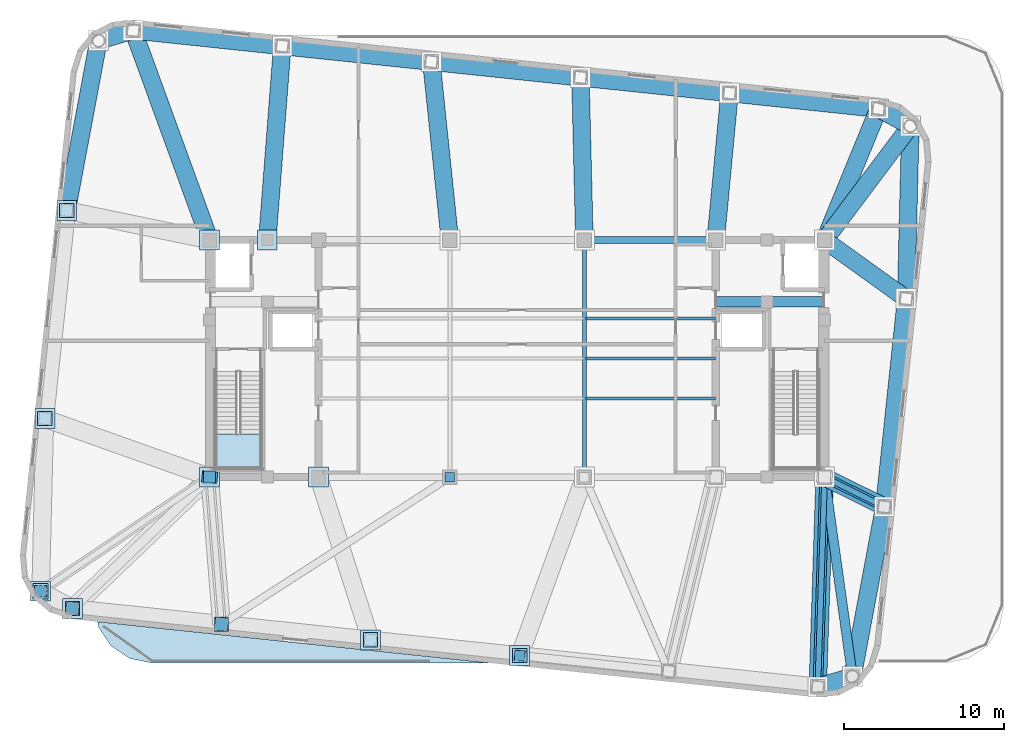
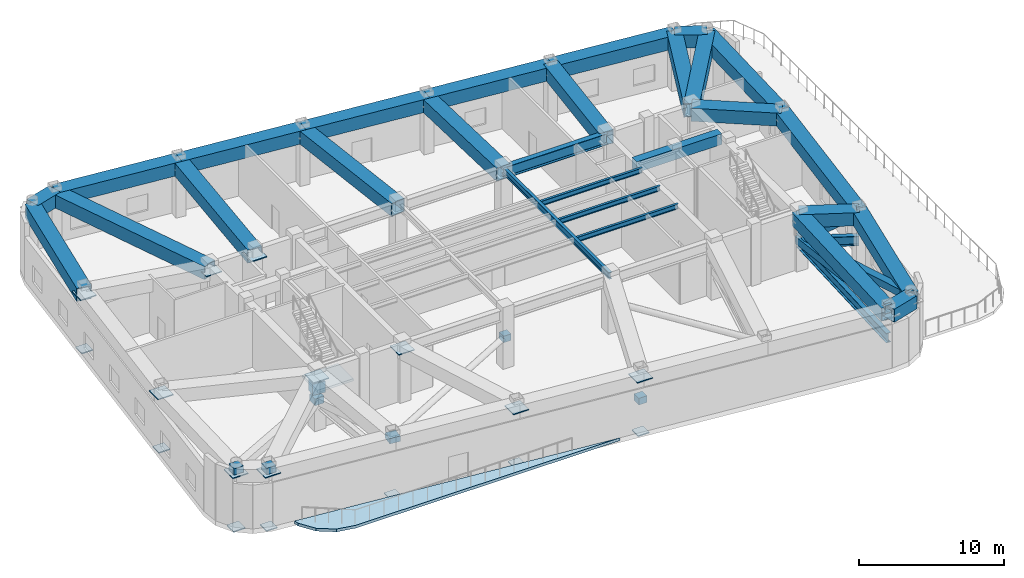
# One storey, part 2 of 9: 30 beams, 24 plates, 3 members, 2 slabs, 1 element without a shape of its own.
"""IFC4 building model written with IfcOpenShell, lengths in metres."""

from ifc_helpers import new_model, si_unit, direction, frame, origin, origin_2d, place, context, subcontext, project, spatial, polyline, rectangle, hollow_rectangle, i_section, outline, extrude, material, layer, layer_set, material_profile, profile_set, type_object, element, aggregate, save


model = new_model("IFC4")

# Units and contexts
model_context = context("Model", 3, precision=1e-05, world=origin(), true_north=direction((0.0, 1.0)))
body_context = subcontext(model_context, "Body", "Model", "MODEL_VIEW")
ifc_project = project(units=[si_unit("LENGTHUNIT", "METRE"), si_unit("AREAUNIT", "SQUARE_METRE"), si_unit("VOLUMEUNIT", "CUBIC_METRE"), si_unit("PLANEANGLEUNIT", "RADIAN"), si_unit("MASSUNIT", "GRAM", prefix="KILO")], contexts=[model_context])

# Site, building, storey
site_placement = place(None, origin())
site = spatial("IfcSite", under=ifc_project, at=site_placement, CompositionType="ELEMENT")
building_placement = place(site_placement, origin())
building = spatial("IfcBuilding", under=site, at=building_placement, Name="Voryun Gate Residences", CompositionType="ELEMENT")
storey_placement = place(building_placement, frame((0.0, 0.0, 254.800048828125)))
storey = spatial("IfcBuildingStorey", under=building, at=storey_placement, Name="L63", CompositionType="ELEMENT", Elevation=254.800048828125)

# Beams
ifc_material_1 = material(Name="Steel SM420", Category="steel")
ifc_material_profile_1 = material_profile(ifc_material_1, hollow_rectangle(XDim=1.10009765625, YDim=1.10009765625, WallThickness=0.035888671875, at=origin_2d()), Name="BOX-1100x1100x36")
ifc_profile_set_1 = profile_set([ifc_material_profile_1], Name="Steel SM420")
beam_type_1 = type_object("IfcBeamType", Name="BM_ARCH_RIB", PredefinedType="USERDEFINED", material=ifc_profile_set_1)
beam_1_placement = place(storey_placement, frame((18.774658203125, -20.49658203125, 4.25), z_axis=(0.958805748412, 0.28406255792, 0.0), x_axis=(-0.28406255792, 0.958805748412, 0.0)))
element("IfcBeam", 1, at=beam_1_placement, inside=storey, type_object=beam_type_1, Name="BM-L63-SPAND-06", ObjectType="GIRDER", PredefinedType="USERDEFINED", context=body_context, shape_type="SweptSolid", body=[
    extrude(hollow_rectangle(XDim=1.10009765625, YDim=1.10009765625, WallThickness=0.035888671875, at=origin_2d()), origin(), (0.0, 0.0, 1.0), 2.2578125),
])
beam_2_placement = place(storey_placement, frame((20.939453125, -19.855224609375, 4.25), z_axis=(0.183852585596, 0.982953827384, 0.0), x_axis=(-0.982953827384, 0.183852585596, 0.0)))
element("IfcBeam", 2, at=beam_2_placement, inside=storey, type_object=beam_type_1, Name="BM-L63-SPAND-07", ObjectType="GIRDER", PredefinedType="USERDEFINED", context=body_context, shape_type="SweptSolid", body=[
    extrude(hollow_rectangle(XDim=1.10009765625, YDim=1.10009765625, WallThickness=0.035888671875, at=origin_2d()), origin(), (0.0, 0.0, 1.0), 10.78662109375),
])
beam_3_placement = place(storey_placement, frame((22.922607421875, -9.25244140625, 4.25), z_axis=(0.104528209082, 0.994521922084, 0.0), x_axis=(-0.994521922084, 0.104528209082, 0.0)))
element("IfcBeam", 3, at=beam_3_placement, inside=storey, type_object=beam_type_1, Name="BM-L63-SPAND-08", ObjectType="GIRDER", PredefinedType="USERDEFINED", context=body_context, shape_type="SweptSolid", body=[
    extrude(hollow_rectangle(XDim=1.10009765625, YDim=1.10009765625, WallThickness=0.035888671875, at=origin_2d()), origin(), (0.0, 0.0, 1.0), 13.06787109375),
])
beam_4_placement = place(storey_placement, frame((24.28857421875, 3.743896484375, 4.25), z_axis=(0.024534711967, 0.999698978647, 0.0), x_axis=(-0.999698978647, 0.024534711967, 0.0)))
element("IfcBeam", 4, at=beam_4_placement, inside=storey, type_object=beam_type_1, Name="BM-L63-SPAND-09", ObjectType="GIRDER", PredefinedType="USERDEFINED", context=body_context, shape_type="SweptSolid", body=[
    extrude(hollow_rectangle(XDim=1.10009765625, YDim=1.10009765625, WallThickness=0.035888671875, at=origin_2d()), origin(), (0.0, 0.0, 1.0), 10.78662109375),
])
beam_5_placement = place(storey_placement, frame((24.55322265625, 14.52734375, 4.25), z_axis=(-0.878844363117, 0.477108567746, 0.0), x_axis=(-0.477108567746, -0.878844363117, 0.0)))
element("IfcBeam", 5, at=beam_5_placement, inside=storey, type_object=beam_type_1, Name="BM-L63-SPAND-10", ObjectType="GIRDER", PredefinedType="USERDEFINED", context=body_context, shape_type="SweptSolid", body=[
    extrude(hollow_rectangle(XDim=1.10009765625, YDim=1.10009765625, WallThickness=0.035888671875, at=origin_2d()), origin(), (0.0, 0.0, 1.0), 2.257568359375),
])
beam_6_placement = place(storey_placement, frame((22.569091796875, 15.6044921875, 4.25), z_axis=(-0.994520592114, 0.104540862157, 0.0), x_axis=(-0.104540862157, -0.994520592114, 0.0)))
element("IfcBeam", 6, at=beam_6_placement, inside=storey, type_object=beam_type_1, Name="BM-L63-SPAND-11", ObjectType="GIRDER", PredefinedType="USERDEFINED", context=body_context, shape_type="SweptSolid", body=[
    extrude(hollow_rectangle(XDim=1.10009765625, YDim=1.10009765625, WallThickness=0.035888671875, at=origin_2d()), origin(), (0.0, 0.0, 1.0), 9.360107421875),
])
beam_7_placement = place(storey_placement, frame((13.26025390625, 16.5830078125, 4.25), z_axis=(-0.994523018663, 0.104517775278, 0.0), x_axis=(-0.104517775278, -0.994523018663, 0.0)))
element("IfcBeam", 7, at=beam_7_placement, inside=storey, type_object=beam_type_1, Name="BM-L63-SPAND-12", ObjectType="GIRDER", PredefinedType="USERDEFINED", context=body_context, shape_type="SweptSolid", body=[
    extrude(hollow_rectangle(XDim=1.10009765625, YDim=1.10009765625, WallThickness=0.035888671875, at=origin_2d()), origin(), (0.0, 0.0, 1.0), 9.35986328125),
])
for number, where, z_axis, x_axis, name in (
    (8, (3.95166015625, 17.561279296875, 4.25), (-0.994520592114, 0.104540862157, 0.0), (-0.104540862157, -0.994520592114, 0.0), "BM-L63-SPAND-13"),
    (9, (-5.357177734375, 18.539794921875, 4.25), (-0.994523303591, 0.104515064059, 0.0), (-0.104515064059, -0.994523303591, 0.0), "BM-L63-SPAND-14"),
):
    element("IfcBeam", number, at=place(storey_placement, frame(where, z_axis=z_axis, x_axis=x_axis)), inside=storey, type_object=beam_type_1, Name=name, ObjectType="GIRDER", PredefinedType="USERDEFINED", context=body_context, shape_type="SweptSolid", body=[
        extrude(hollow_rectangle(XDim=1.10009765625, YDim=1.10009765625, WallThickness=0.035888671875, at=origin_2d()), origin(), (0.0, 0.0, 1.0), 9.360107421875),
    ])
beam_8_placement = place(storey_placement, frame((-14.666015625, 19.51806640625, 4.25), z_axis=(-0.994520307047, 0.104543574031, 0.0), x_axis=(-0.104543574031, -0.994520307047, 0.0)))
element("IfcBeam", 10, at=beam_8_placement, inside=storey, type_object=beam_type_1, Name="BM-L63-SPAND-15", ObjectType="GIRDER", PredefinedType="USERDEFINED", context=body_context, shape_type="SweptSolid", body=[
    extrude(hollow_rectangle(XDim=1.10009765625, YDim=1.10009765625, WallThickness=0.035888671875, at=origin_2d()), origin(), (0.0, 0.0, 1.0), 9.35986328125),
])
beam_9_placement = place(storey_placement, frame((-23.974609375, 20.49658203125, 4.25), z_axis=(-0.958805748412, -0.28406255792, 0.0), x_axis=(0.28406255792, -0.958805748412, 0.0)))
element("IfcBeam", 11, at=beam_9_placement, inside=storey, type_object=beam_type_1, Name="BM-L63-SPAND-16", ObjectType="GIRDER", PredefinedType="USERDEFINED", context=body_context, shape_type="SweptSolid", body=[
    extrude(hollow_rectangle(XDim=1.10009765625, YDim=1.10009765625, WallThickness=0.035888671875, at=origin_2d()), origin(), (0.0, 0.0, 1.0), 2.2578125),
])
beam_10_placement = place(storey_placement, frame((-26.139404296875, 19.855224609375, 4.25), z_axis=(-0.183852585596, -0.982953827384, 0.0), x_axis=(0.982953827384, -0.183852585596, 0.0)))
element("IfcBeam", 12, at=beam_10_placement, inside=storey, type_object=beam_type_1, Name="BM-L63-SPAND-17", ObjectType="GIRDER", PredefinedType="USERDEFINED", context=body_context, shape_type="SweptSolid", body=[
    extrude(hollow_rectangle(XDim=1.10009765625, YDim=1.10009765625, WallThickness=0.035888671875, at=origin_2d()), origin(), (0.0, 0.0, 1.0), 10.78662109375),
])
beam_11_placement = place(storey_placement, frame((19.199951171875, -7.39990234375, 4.25), z_axis=(-0.032456234446, -0.999473157641, 0.0), x_axis=(0.999473157641, -0.032456234446, 0.0)))
element("IfcBeam", 13, at=beam_11_placement, inside=storey, type_object=beam_type_1, Name="BM-L63-RAD-S6", ObjectType="GIRDER", PredefinedType="USERDEFINED", context=body_context, shape_type="SweptSolid", body=[
    extrude(hollow_rectangle(XDim=1.10009765625, YDim=1.10009765625, WallThickness=0.035888671875, at=origin_2d()), origin(), (0.0, 0.0, 1.0), 13.103515625),
])
beam_12_placement = place(storey_placement, frame((19.199951171875, -7.39990234375, 4.25), z_axis=(0.895271074172, -0.445521833081, 0.0), x_axis=(0.445521833081, 0.895271074172, 0.0)))
element("IfcBeam", 14, at=beam_12_placement, inside=storey, type_object=beam_type_1, Name="BM-L63-RAD-E1", ObjectType="GIRDER", PredefinedType="USERDEFINED", context=body_context, shape_type="SweptSolid", body=[
    extrude(hollow_rectangle(XDim=1.10009765625, YDim=1.10009765625, WallThickness=0.035888671875, at=origin_2d()), origin(), (0.0, 0.0, 1.0), 4.158203125),
])
beam_13_placement = place(storey_placement, frame((19.199951171875, 7.39990234375, 4.25), z_axis=(0.81212442094, -0.583484297058, 0.0), x_axis=(0.583484297058, 0.81212442094, 0.0)))
element("IfcBeam", 15, at=beam_13_placement, inside=storey, type_object=beam_type_1, Name="BM-L63-RAD-E2", ObjectType="GIRDER", PredefinedType="USERDEFINED", context=body_context, shape_type="SweptSolid", body=[
    extrude(hollow_rectangle(XDim=1.10009765625, YDim=1.10009765625, WallThickness=0.035888671875, at=origin_2d()), origin(), (0.0, 0.0, 1.0), 6.265869140625),
])
beam_14_placement = place(storey_placement, frame((19.199951171875, 7.39990234375, 4.25), z_axis=(0.60055201327, 0.799585692316, 0.0), x_axis=(-0.799585692316, 0.60055201327, 0.0)))
element("IfcBeam", 16, at=beam_14_placement, inside=storey, type_object=beam_type_1, Name="BM-L63-RAD-CNE", ObjectType="GIRDER", PredefinedType="USERDEFINED", context=body_context, shape_type="SweptSolid", body=[
    extrude(hollow_rectangle(XDim=1.10009765625, YDim=1.10009765625, WallThickness=0.035888671875, at=origin_2d()), origin(), (0.0, 0.0, 1.0), 8.913818359375),
])
beam_15_placement = place(storey_placement, frame((19.199951171875, 7.39990234375, 4.25), z_axis=(0.379860811741, 0.925043655026, 0.0), x_axis=(-0.925043655026, 0.379860811741, 0.0)))
element("IfcBeam", 17, at=beam_15_placement, inside=storey, type_object=beam_type_1, Name="BM-L63-RAD-N1", ObjectType="GIRDER", PredefinedType="USERDEFINED", context=body_context, shape_type="SweptSolid", body=[
    extrude(hollow_rectangle(XDim=1.10009765625, YDim=1.10009765625, WallThickness=0.035888671875, at=origin_2d()), origin(), (0.0, 0.0, 1.0), 8.869384765625),
])
beam_16_placement = place(storey_placement, frame((12.39990234375, 7.39990234375, 4.25), z_axis=(0.093280030115, 0.995639912811, 0.0), x_axis=(-0.995639912811, 0.093280030115, 0.0)))
element("IfcBeam", 18, at=beam_16_placement, inside=storey, type_object=beam_type_1, Name="BM-L63-RAD-N2", ObjectType="GIRDER", PredefinedType="USERDEFINED", context=body_context, shape_type="SweptSolid", body=[
    extrude(hollow_rectangle(XDim=1.10009765625, YDim=1.10009765625, WallThickness=0.035888671875, at=origin_2d()), origin(), (0.0, 0.0, 1.0), 9.223388671875),
])
beam_17_placement = place(storey_placement, frame((4.199951171875, 7.39990234375, 4.25), z_axis=(-0.024427489288, 0.999701604364, 0.0), x_axis=(-0.999701604364, -0.024427489288, 0.0)))
element("IfcBeam", 19, at=beam_17_placement, inside=storey, type_object=beam_type_1, Name="BM-L63-RAD-N3", ObjectType="GIRDER", PredefinedType="USERDEFINED", context=body_context, shape_type="SweptSolid", body=[
    extrude(hollow_rectangle(XDim=1.10009765625, YDim=1.10009765625, WallThickness=0.035888671875, at=origin_2d()), origin(), (0.0, 0.0, 1.0), 10.164306640625),
])
beam_18_placement = place(storey_placement, frame((-4.199951171875, 7.39990234375, 4.25), z_axis=(-0.103325291149, 0.994647618109, 0.0), x_axis=(-0.994647618109, -0.103325291149, 0.0)))
element("IfcBeam", 20, at=beam_18_placement, inside=storey, type_object=beam_type_1, Name="BM-L63-RAD-N4", ObjectType="GIRDER", PredefinedType="USERDEFINED", context=body_context, shape_type="SweptSolid", body=[
    extrude(hollow_rectangle(XDim=1.10009765625, YDim=1.10009765625, WallThickness=0.035888671875, at=origin_2d()), origin(), (0.0, 0.0, 1.0), 11.199951171875),
])
beam_19_placement = place(storey_placement, frame((-15.60009765625, 7.39990234375, 4.25), z_axis=(0.07685317718, 0.997042420942, 0.0), x_axis=(-0.997042420942, 0.07685317718, 0.0)))
element("IfcBeam", 21, at=beam_19_placement, inside=storey, type_object=beam_type_1, Name="BM-L63-RAD-N5", ObjectType="GIRDER", PredefinedType="USERDEFINED", context=body_context, shape_type="SweptSolid", body=[
    extrude(hollow_rectangle(XDim=1.10009765625, YDim=1.10009765625, WallThickness=0.035888671875, at=origin_2d()), origin(), (0.0, 0.0, 1.0), 12.154052734375),
])
beam_20_placement = place(storey_placement, frame((-19.199951171875, 7.39990234375, 4.25), z_axis=(-0.342517773666, 0.939511348906, 0.0), x_axis=(-0.939511348906, -0.342517773666, 0.0)))
element("IfcBeam", 22, at=beam_20_placement, inside=storey, type_object=beam_type_1, Name="BM-L63-RAD-N6", ObjectType="GIRDER", PredefinedType="USERDEFINED", context=body_context, shape_type="SweptSolid", body=[
    extrude(hollow_rectangle(XDim=1.10009765625, YDim=1.10009765625, WallThickness=0.035888671875, at=origin_2d()), origin(), (0.0, 0.0, 1.0), 13.93994140625),
])
ifc_material_2 = material(Name="Concrete C60/75", Category="concrete")
ifc_material_profile_2 = material_profile(ifc_material_2, rectangle(XDim=0.64990234375, YDim=0.89990234375, at=origin_2d()), Name="RC-650x900")
ifc_profile_set_2 = profile_set([ifc_material_profile_2], Name="Concrete C60/75")
beam_type_2 = type_object("IfcBeamType", Name="BM_COUP_RC900", PredefinedType="LINTEL", material=ifc_profile_set_2)
beam_21_placement = place(storey_placement, frame((12.39990234375, 3.550048828125, 4.349853515625), z_axis=(1.0, 0.0, 0.0), x_axis=(0.0, 1.0, 0.0)))
element("IfcBeam", 23, at=beam_21_placement, inside=storey, type_object=beam_type_2, Name="BM-L63-EC1", PredefinedType="LINTEL", context=body_context, shape_type="SweptSolid", body=[
    extrude(rectangle(XDim=0.64990234375, YDim=0.89990234375, at=origin_2d()), origin(), (0.0, 0.0, 1.0), 6.800048828125),
])
ifc_material_3 = material(Name="Steel SM355", Category="steel")
ifc_material_profile_3 = material_profile(ifc_material_3, i_section(OverallWidth=0.239990234375, OverallDepth=0.550048828125, WebThickness=0.011962890625, FlangeThickness=0.02001953125, FilletRadius=0.01806640625, at=origin_2d()), Name="H-550x240x12x20")
ifc_profile_set_3 = profile_set([ifc_material_profile_3], Name="Steel SM355")
beam_type_3 = type_object("IfcBeamType", Name="BM_GIRD_550", PredefinedType="USERDEFINED", material=ifc_profile_set_3)
beam_22_placement = place(storey_placement, frame((4.199951171875, -7.39990234375, 4.52490234375), z_axis=(0.0, 1.0, 0.0), x_axis=(-1.0, 0.0, 0.0)))
element("IfcBeam", 24, at=beam_22_placement, inside=storey, type_object=beam_type_3, Name="BM-L63-SPX-E", ObjectType="GIRDER", PredefinedType="USERDEFINED", context=body_context, shape_type="SweptSolid", body=[
    extrude(i_section(OverallWidth=0.239990234375, OverallDepth=0.550048828125, WebThickness=0.011962890625, FlangeThickness=0.02001953125, FilletRadius=0.01806640625, at=origin_2d()), origin(), (0.0, 0.0, 1.0), 14.7998046875),
])
ifc_material_4 = material(Name="Steel SM420", Category="steel")
ifc_material_profile_4 = material_profile(ifc_material_4, i_section(OverallWidth=0.360107421875, OverallDepth=0.800048828125, WebThickness=0.01611328125, FlangeThickness=0.030029296875, FilletRadius=0.01806640625, at=origin_2d()), Name="H-800x360x16x30")
ifc_profile_set_4 = profile_set([ifc_material_profile_4], Name="Steel SM420")
beam_type_4 = type_object("IfcBeamType", Name="BM_OUTRIGGER_CHD", PredefinedType="USERDEFINED", material=ifc_profile_set_4)
beam_23_placement = place(storey_placement, frame((19.199951171875, -7.39990234375, 2.14990234375), z_axis=(-0.032456234446, -0.999473157641, 0.0), x_axis=(0.999473157641, -0.032456234446, 0.0)))
element("IfcBeam", 25, at=beam_23_placement, inside=storey, type_object=beam_type_4, Name="BM-L63-OUTCHD-S6", ObjectType="GIRDER", PredefinedType="USERDEFINED", context=body_context, shape_type="SweptSolid", body=[
    extrude(i_section(OverallWidth=0.360107421875, OverallDepth=0.800048828125, WebThickness=0.01611328125, FlangeThickness=0.030029296875, FilletRadius=0.01806640625, at=origin_2d()), origin(), (0.0, 0.0, 1.0), 13.103515625),
])
beam_24_placement = place(storey_placement, frame((19.199951171875, -7.39990234375, 2.14990234375), z_axis=(0.895271074172, -0.445521833081, 0.0), x_axis=(0.445521833081, 0.895271074172, 0.0)))
element("IfcBeam", 26, at=beam_24_placement, inside=storey, type_object=beam_type_4, Name="BM-L63-OUTCHD-E1", ObjectType="GIRDER", PredefinedType="USERDEFINED", context=body_context, shape_type="SweptSolid", body=[
    extrude(i_section(OverallWidth=0.360107421875, OverallDepth=0.800048828125, WebThickness=0.01611328125, FlangeThickness=0.030029296875, FilletRadius=0.01806640625, at=origin_2d()), origin(), (0.0, 0.0, 1.0), 4.158203125),
])
ifc_material_5 = material(Name="Steel SM355", Category="steel")
ifc_material_profile_5 = material_profile(ifc_material_5, i_section(OverallWidth=0.18994140625, OverallDepth=0.419921875, WebThickness=0.009033203125, FlangeThickness=0.01611328125, FilletRadius=0.01806640625, at=origin_2d()), Name="H-420x190x9x16")
ifc_profile_set_5 = profile_set([ifc_material_profile_5], Name="Steel SM355")
beam_type_5 = type_object("IfcBeamType", Name="BM_SEC_420", PredefinedType="BEAM", material=ifc_profile_set_5)
for number, where, z_axis, x_axis, name in (
    (27, (4.300048828125, -2.5, 4.58984375), (1.0, 0.0, 0.0), (0.0, 1.0, 0.0), "BM-L63-SEC-CS3"),
    (28, (4.300048828125, 0.0, 4.58984375), (1.0, 0.0, 0.0), (0.0, 1.0, 0.0), "BM-L63-SEC-CM3"),
    (29, (4.300048828125, 2.5, 4.58984375), (1.0, 0.0, 0.0), (0.0, 1.0, 0.0), "BM-L63-SEC-CN3"),
):
    element("IfcBeam", number, at=place(storey_placement, frame(where, z_axis=z_axis, x_axis=x_axis)), inside=storey, type_object=beam_type_5, Name=name, PredefinedType="BEAM", context=body_context, shape_type="SweptSolid", body=[
        extrude(i_section(OverallWidth=0.18994140625, OverallDepth=0.419921875, WebThickness=0.009033203125, FlangeThickness=0.01611328125, FilletRadius=0.01806640625, at=origin_2d()), origin(), (0.0, 0.0, 1.0), 8.099853515625),
    ])
ifc_material_6 = material(Name="Steel SM420", Category="steel")
ifc_material_profile_6 = material_profile(ifc_material_6, i_section(OverallWidth=0.419921875, OverallDepth=0.949951171875, WebThickness=0.02001953125, FlangeThickness=0.035888671875, FilletRadius=0.01806640625, at=origin_2d()), Name="H-950x420x20x36")
ifc_profile_set_6 = profile_set([ifc_material_profile_6], Name="Steel SM420")
beam_type_6 = type_object("IfcBeamType", Name="BM_XFER_950", PredefinedType="USERDEFINED", material=ifc_profile_set_6)
beam_25_placement = place(storey_placement, frame((4.199951171875, 7.39990234375, 4.324951171875), z_axis=(1.0, 0.0, 0.0), x_axis=(0.0, 1.0, 0.0)))
element("IfcBeam", 30, at=beam_25_placement, inside=storey, type_object=beam_type_6, Name="BM-L63-SPG3-N", ObjectType="GIRDER", PredefinedType="USERDEFINED", context=body_context, shape_type="SweptSolid", body=[
    extrude(i_section(OverallWidth=0.419921875, OverallDepth=0.949951171875, WebThickness=0.02001953125, FlangeThickness=0.035888671875, FilletRadius=0.01806640625, at=origin_2d()), origin(), (0.0, 0.0, 1.0), 8.199951171875),
])

# Members
ifc_material_7 = material(Name="Steel SM420", Category="steel")
ifc_material_profile_7 = material_profile(ifc_material_7, hollow_rectangle(XDim=0.60009765625, YDim=0.60009765625, WallThickness=0.028076171875, at=origin_2d()), Name="BOX-600x600x28")
ifc_profile_set_7 = profile_set([ifc_material_profile_7], Name="Steel SM420")
member_type = type_object("IfcMemberType", Name="MBR_OUTRIGGER_DIAG", PredefinedType="BRACE", material=ifc_profile_set_7)
member_1_placement = place(storey_placement, frame((19.199951171875, -7.39990234375, 2.39990234375), z_axis=(-0.03202792223, -0.986283501782, 0.161923025878), x_axis=(0.999473157641, -0.032456234446, 0.0)))
element("IfcMember", 31, at=member_1_placement, inside=storey, type_object=member_type, Name="L63 Outrigger Truss Diagonal S6", PredefinedType="BRACE", context=body_context, shape_type="SweptSolid", body=[
    extrude(hollow_rectangle(XDim=0.60009765625, YDim=0.60009765625, WallThickness=0.028076171875, at=origin_2d()), origin(), (0.0, 0.0, 1.0), 13.27880859375),
])
member_2_placement = place(storey_placement, frame((19.199951171875, -7.39990234375, 2.39990234375), z_axis=(0.13633865222, -0.976223020396, 0.168524141769), x_axis=(0.990388018844, 0.138316926402, 0.0)))
element("IfcMember", 32, at=member_2_placement, inside=storey, type_object=member_type, Name="L63 Outrigger Truss Diagonal CSE", PredefinedType="BRACE", context=body_context, shape_type="SweptSolid", body=[
    extrude(hollow_rectangle(XDim=0.60009765625, YDim=0.60009765625, WallThickness=0.028076171875, at=origin_2d()), origin(), (0.0, 0.0, 1.0), 12.7587890625),
])
member_3_placement = place(storey_placement, frame((19.199951171875, -7.39990234375, 2.39990234375), z_axis=(0.795243319965, -0.395744118041, 0.459319774326), x_axis=(0.445521833081, 0.895271074172, 0.0)))
element("IfcMember", 33, at=member_3_placement, inside=storey, type_object=member_type, Name="L63 Outrigger Truss Diagonal E1", PredefinedType="BRACE", context=body_context, shape_type="SweptSolid", body=[
    extrude(hollow_rectangle(XDim=0.60009765625, YDim=0.60009765625, WallThickness=0.028076171875, at=origin_2d()), origin(), (0.0, 0.0, 1.0), 4.68115234375),
])

# Plates
ifc_material_8 = material(Name="Steel SM355", Category="steel")
ifc_layer_1 = layer(ifc_material_8, 0.02490234375, Name="PLT_END_CAP_25")
ifc_layer_set_1 = layer_set([ifc_layer_1], Name="Steel SM355")
plate_type_1 = type_object("IfcPlateType", Name="PLT_END_CAP_25", PredefinedType="USERDEFINED", material=ifc_layer_set_1)
for number, where, z_axis, x_axis, name in (
    (34, (-27.76904296875, -15.6044921875, -0.440185546875), (0.0, 0.0, 1.0), (1.0, 0.0, 0.0), "L63 Hollow Member End-Cap Plate EC-738"),
    (35, (-18.460205078125, -16.5830078125, -0.440185546875), (0.0, 0.0, 1.0), (1.0, 0.0, 0.0), "L63 Hollow Member End-Cap Plate EC-739"),
    (36, (-9.151611328125, -17.561279296875, -0.440185546875), (0.0, 0.0, 1.0), (1.0, 0.0, 0.0), "L63 Hollow Member End-Cap Plate EC-740"),
    (37, (0.1572265625, -18.539794921875, -0.440185546875), (0.0, 0.0, 1.0), (1.0, 0.0, 0.0), "L63 Hollow Member End-Cap Plate EC-741"),
    (38, (-28.122802734375, 9.25244140625, -0.440185546875), (0.0, 0.0, 1.0), (1.0, 0.0, 0.0), "L63 Hollow Member End-Cap Plate EC-755"),
    (39, (-29.488525390625, -3.743896484375, -0.440185546875), (0.0, 0.0, 1.0), (1.0, 0.0, 0.0), "L63 Hollow Member End-Cap Plate EC-756"),
):
    element("IfcPlate", number, at=place(storey_placement, frame(where, z_axis=z_axis, x_axis=x_axis)), inside=storey, type_object=plate_type_1, Name=name, ObjectType="BASE_PLATE", PredefinedType="USERDEFINED", context=body_context, shape_type="SweptSolid", body=[
        extrude(rectangle(XDim=0.889892578125, YDim=0.889892578125, at=origin_2d()), origin(), (0.0, 0.0, 1.0), 0.080078125),
    ])
plate_1_placement = place(storey_placement, frame((-29.75341796875, -14.52734375, -0.440185546875), z_axis=(0.0, 0.0, 1.0), x_axis=(1.0, 0.0, 0.0)))
element("IfcPlate", 40, at=plate_1_placement, inside=storey, type_object=plate_type_1, Name="L63 Hollow Member End-Cap Plate EC-757", ObjectType="BASE_PLATE", PredefinedType="USERDEFINED", context=body_context, shape_type="SweptSolid", body=[
    extrude(rectangle(XDim=0.93994140625, YDim=0.93994140625, at=origin_2d()), origin(), (0.0, 0.0, 1.0), 0.080078125),
])
for number, where, z_axis, x_axis, name in (
    (41, (-27.76904296875, -15.6044921875, 4.2099609375), (0.0, 0.0, 1.0), (1.0, 0.0, 0.0), "L63 Hollow Member End-Cap Plate EC-758"),
    (42, (-9.151611328125, -17.561279296875, 4.2099609375), (0.0, 0.0, 1.0), (1.0, 0.0, 0.0), "L63 Hollow Member End-Cap Plate EC-759"),
    (43, (0.1572265625, -18.539794921875, 4.2099609375), (0.0, 0.0, 1.0), (1.0, 0.0, 0.0), "L63 Hollow Member End-Cap Plate EC-760"),
    (44, (-28.122802734375, 9.25244140625, 4.2099609375), (0.0, 0.0, 1.0), (1.0, 0.0, 0.0), "L63 Hollow Member End-Cap Plate EC-773"),
    (45, (-29.488525390625, -3.743896484375, 4.2099609375), (0.0, 0.0, 1.0), (1.0, 0.0, 0.0), "L63 Hollow Member End-Cap Plate EC-774"),
    (46, (-29.75341796875, -14.52734375, 4.2099609375), (0.0, 0.0, 1.0), (1.0, 0.0, 0.0), "L63 Hollow Member End-Cap Plate EC-775"),
):
    element("IfcPlate", number, at=place(storey_placement, frame(where, z_axis=z_axis, x_axis=x_axis)), inside=storey, type_object=plate_type_1, Name=name, ObjectType="BASE_PLATE", PredefinedType="USERDEFINED", context=body_context, shape_type="SweptSolid", body=[
        extrude(rectangle(XDim=1.239990234375, YDim=1.239990234375, at=origin_2d()), origin(), (0.0, 0.0, 1.0), 0.080078125),
    ])
plate_2_placement = place(storey_placement, frame((-4.199951171875, -7.39990234375, 2.099853515625), z_axis=(0.0, 0.0, 1.0), x_axis=(1.0, 0.0, 0.0)))
element("IfcPlate", 47, at=plate_2_placement, inside=storey, type_object=plate_type_1, Name="L63 Brace Node Connection Plate BN-776", ObjectType="BASE_PLATE", PredefinedType="USERDEFINED", context=body_context, shape_type="SweptSolid", body=[
    extrude(rectangle(XDim=0.60009765625, YDim=0.60009765625, at=origin_2d()), origin(), (0.0, 0.0, 1.0), 0.56005859375),
])
for number, where, z_axis, x_axis, name in (
    (48, (-19.199951171875, -7.39990234375, 4.2099609375), (0.0, 0.0, 1.0), (1.0, 0.0, 0.0), "L63 Hollow Member End-Cap Plate EC-778"),
    (49, (-12.39990234375, -7.39990234375, 4.2099609375), (0.0, 0.0, 1.0), (1.0, 0.0, 0.0), "L63 Hollow Member End-Cap Plate EC-779"),
    (50, (-15.60009765625, 7.39990234375, 4.2099609375), (0.0, 0.0, 1.0), (1.0, 0.0, 0.0), "L63 Hollow Member End-Cap Plate EC-787"),
    (51, (-19.199951171875, 7.39990234375, 4.2099609375), (0.0, 0.0, 1.0), (1.0, 0.0, 0.0), "L63 Hollow Member End-Cap Plate EC-788"),
):
    element("IfcPlate", number, at=place(storey_placement, frame(where, z_axis=z_axis, x_axis=x_axis)), inside=storey, type_object=plate_type_1, Name=name, ObjectType="BASE_PLATE", PredefinedType="USERDEFINED", context=body_context, shape_type="SweptSolid", body=[
        extrude(rectangle(XDim=1.239990234375, YDim=1.239990234375, at=origin_2d()), origin(), (0.0, 0.0, 1.0), 0.080078125),
    ])
for number, where, z_axis, x_axis, name in (
    (52, (-19.199951171875, -7.39990234375, 2.119873046875), (0.0, 0.0, 1.0), (1.0, 0.0, 0.0), "L63 Brace Node Connection Plate BN-790"),
    (53, (-27.76904296875, -15.6044921875, 4.27001953125), (0.0, 0.0, 1.0), (1.0, 0.0, 0.0), "L63 Brace Node Connection Plate BN-792"),
):
    element("IfcPlate", number, at=place(storey_placement, frame(where, z_axis=z_axis, x_axis=x_axis)), inside=storey, type_object=plate_type_1, Name=name, ObjectType="BASE_PLATE", PredefinedType="USERDEFINED", context=body_context, shape_type="SweptSolid", body=[
        extrude(rectangle(XDim=0.739990234375, YDim=0.739990234375, at=origin_2d()), origin(), (0.0, 0.0, 1.0), 0.56005859375),
    ])
ifc_material_9 = material(Name="Steel SM420", Category="steel")
ifc_layer_2 = layer(ifc_material_9, 0.035888671875, Name="PLT_OUTRIGGER_GUSSET_36")
ifc_layer_set_2 = layer_set([ifc_layer_2], Name="Steel SM420")
plate_type_2 = type_object("IfcPlateType", Name="PLT_OUTRIGGER_GUSSET_36", PredefinedType="USERDEFINED", material=ifc_layer_set_2)
plate_3_placement = place(storey_placement, frame((-19.199951171875, -7.39990234375, 3.0), z_axis=(0.0, 0.0, 1.0), x_axis=(0.994521895368, -0.104528463268, 0.0)))
element("IfcPlate", 54, at=plate_3_placement, inside=storey, type_object=plate_type_2, Name="L63 Outrigger Gusset Plate ON-CSW", ObjectType="GUSSET_PLATE", PredefinedType="USERDEFINED", context=body_context, shape_type="SweptSolid", body=[
    extrude(rectangle(XDim=0.949951171875, YDim=0.719970703125, at=origin_2d()), origin(), (0.0, 0.0, 1.0), 0.949951171875),
])
plate_4_placement = place(storey_placement, frame((0.1572265625, -18.539794921875, 2.119873046875), z_axis=(0.0, 0.0, 1.0), x_axis=(1.0, 0.0, 0.0)))
element("IfcPlate", 55, at=plate_4_placement, inside=storey, type_object=plate_type_2, Name="L63 Brace Node Connection Plate BN-789", ObjectType="GUSSET_PLATE", PredefinedType="USERDEFINED", context=body_context, shape_type="SweptSolid", body=[
    extrude(rectangle(XDim=0.659912109375, YDim=0.659912109375, at=origin_2d()), origin(), (0.0, 0.0, 1.0), 0.56005859375),
])
plate_5_placement = place(storey_placement, frame((-29.75341796875, -14.52734375, 4.27001953125), z_axis=(0.0, 0.0, 1.0), x_axis=(1.0, 0.0, 0.0)))
element("IfcPlate", 56, at=plate_5_placement, inside=storey, type_object=plate_type_2, Name="L63 Brace Node Connection Plate BN-791", ObjectType="GUSSET_PLATE", PredefinedType="USERDEFINED", context=body_context, shape_type="SweptSolid", body=[
    extrude(rectangle(XDim=0.739990234375, YDim=0.739990234375, at=origin_2d()), origin(), (0.0, 0.0, 1.0), 0.56005859375),
])
ifc_material_10 = material(Name="Steel SM420", Category="steel")
ifc_layer_3 = layer(ifc_material_10, 0.031982421875, Name="PLT_SPLICE_PLATE_32")
ifc_layer_set_3 = layer_set([ifc_layer_3], Name="Steel SM420")
plate_type_3 = type_object("IfcPlateType", Name="PLT_SPLICE_PLATE_32", PredefinedType="USERDEFINED", material=ifc_layer_set_3)
plate_6_placement = place(storey_placement, frame((-18.460205078125, -16.5830078125, 4.22509765625), z_axis=(0.0, 0.0, 1.0), x_axis=(0.994521895368, -0.104528463268, 0.0)))
element("IfcPlate", 57, at=plate_6_placement, inside=storey, type_object=plate_type_3, Name="L63 Mechanical Strut Splice Plate KN-S2", ObjectType="SPLICE_PLATE", PredefinedType="USERDEFINED", context=body_context, shape_type="SweptSolid", body=[
    extrude(rectangle(XDim=0.800048828125, YDim=0.800048828125, at=origin_2d()), origin(), (0.0, 0.0, 1.0), 0.449951171875),
])

# Stair, slab
ifc_material_11 = material(Name="Concrete C40/50", Category="concrete")
stair_type = type_object("IfcStairType", Name="STR_CORE_DOGLEG_1350", PredefinedType="HALF_TURN_STAIR", material=ifc_material_11)
stair_placement = place(storey_placement, origin())
stair = element("IfcStair", 58, at=stair_placement, inside=storey, type_object=stair_type, Name="L63 Special Escape Stair ST-W1", PredefinedType="HALF_TURN_STAIR")
ifc_material_12 = material(Name="Concrete C40/50", Category="concrete")
ifc_layer_4 = layer(ifc_material_12, 0.199951171875, Name="SLB_STAIR_LANDING_200")
ifc_layer_set_4 = layer_set([ifc_layer_4], Name="Concrete C40/50")
slab_type_1 = type_object("IfcSlabType", Name="SLB_STAIR_LANDING_200", PredefinedType="LANDING", material=ifc_layer_set_4)
slab_1_placement = place(storey_placement, frame((0.0, 0.0, 2.39990234375)))
slab_1 = element("IfcSlab", 59, at=slab_1_placement, type_object=slab_type_1, Name="ST-W1 landing 1", PredefinedType="LANDING", context=body_context, shape_type="SweptSolid", body=[
    extrude(outline(polyline([(-18.824951171875, -4.719970703125), (-18.824951171875, -6.85009765625), (-15.97509765625, -6.85009765625), (-15.97509765625, -4.719970703125), (-18.824951171875, -4.719970703125)])), origin(), (0.0, 0.0, 1.0), 0.199951171875),
])
aggregate(stair, [slab_1])

# Slab
ifc_material_13 = material(Name="Concrete C40/50", Category="concrete")
ifc_layer_5 = layer(ifc_material_13, 0.239990234375, Name="SLB_TERRACE_ROOF_240")
ifc_layer_set_5 = layer_set([ifc_layer_5], Name="Concrete C40/50")
slab_type_2 = type_object("IfcSlabType", Name="SLB_TERRACE_ROOF_240", PredefinedType="ROOF", material=ifc_layer_set_5)
slab_2_placement = place(storey_placement, frame((0.0, 0.0, -0.239990234375)))
element("IfcSlab", 60, at=slab_2_placement, inside=storey, type_object=slab_type_2, Name="Spiralling Setback Sky-Garden Terrace Roof 2", PredefinedType="ROOF", context=body_context, shape_type="SweptSolid", body=[
    extrude(outline(polyline([(-22.800048828125, -19.0), (-24.177734375, -18.72607421875), (-25.345458984375, -17.945556640625), (-26.1259765625, -16.777587890625), (-26.1953125, -16.4287109375), (-1.730224609375, -19.0), (-22.800048828125, -19.0)])), origin(), (0.0, 0.0, 1.0), 0.239990234375),
])

save(model, "model.ifc")
